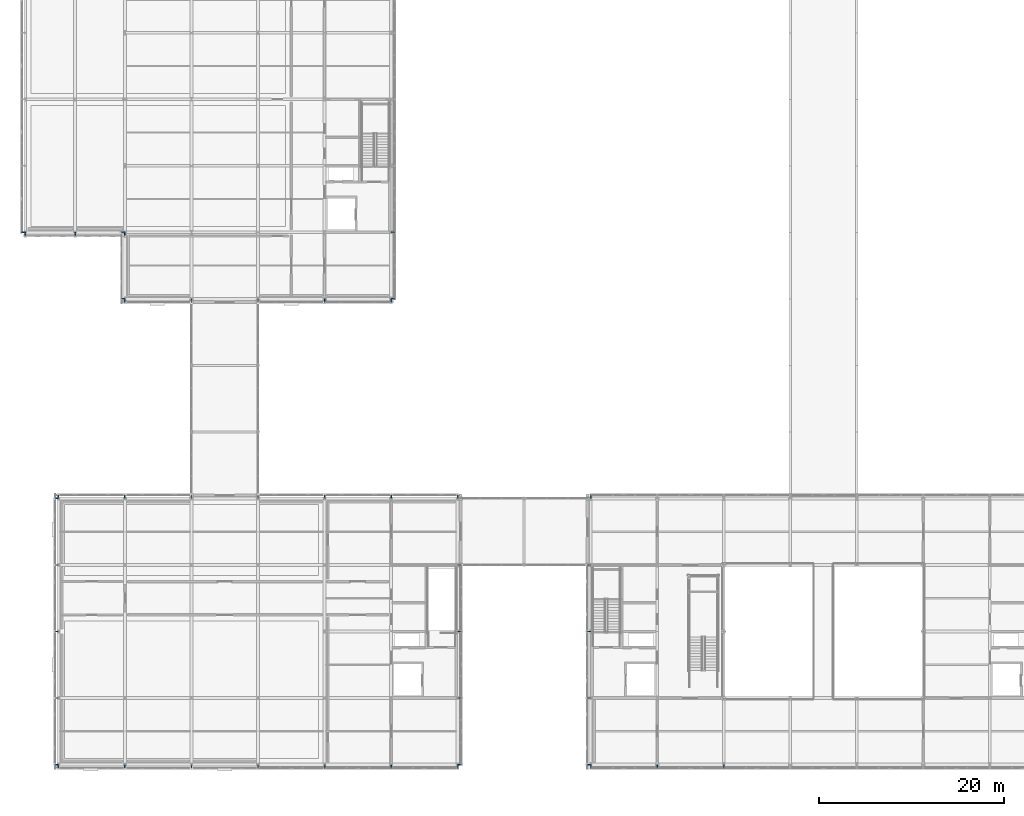
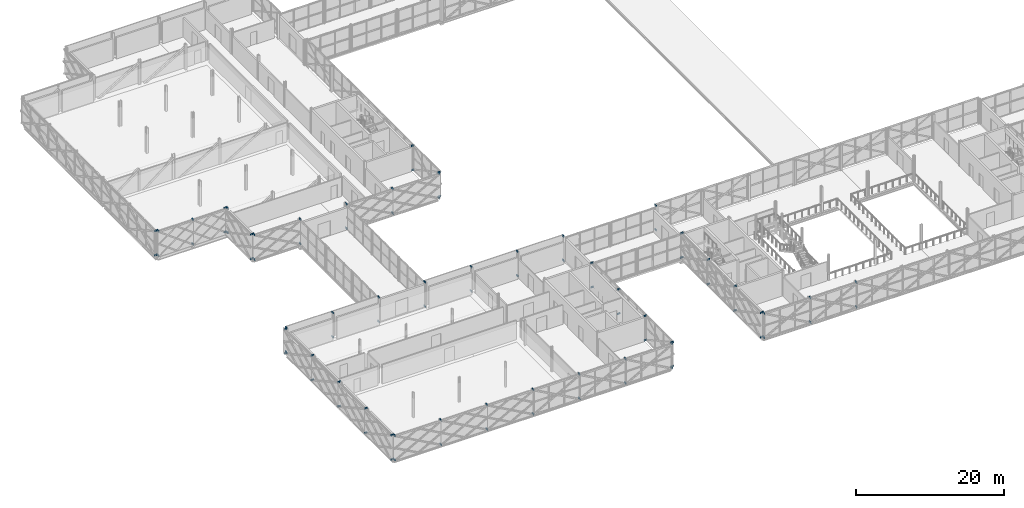
# One storey, part 69 of 126: 88 beams.
"""IFC4 building model written with IfcOpenShell, lengths in metres."""

from ifc_helpers import new_model, si_unit, direction, frame, origin, origin_2d, place, context, subcontext, project, spatial, i_section, extrude, material, material_profile, profile_set, type_object, element, save


model = new_model("IFC4")

# Units and contexts
model_context = context("Model", 3, precision=1e-05, world=origin(), true_north=direction((0.0, 1.0)))
body_context = subcontext(model_context, "Body", "Model", "MODEL_VIEW")
ifc_project = project(units=[si_unit("LENGTHUNIT", "METRE"), si_unit("AREAUNIT", "SQUARE_METRE"), si_unit("VOLUMEUNIT", "CUBIC_METRE"), si_unit("PLANEANGLEUNIT", "RADIAN"), si_unit("MASSUNIT", "GRAM", prefix="KILO")], contexts=[model_context])

# Site, building, storey
site_placement = place(None, origin())
site = spatial("IfcSite", under=ifc_project, at=site_placement, CompositionType="ELEMENT")
building_placement = place(site_placement, origin())
building = spatial("IfcBuilding", under=site, at=building_placement, Name="Zlatovets Crest Museum", CompositionType="ELEMENT")
storey_placement = place(building_placement, frame((0.0, 0.0, 8.699951171875)))
storey = spatial("IfcBuildingStorey", under=building, at=storey_placement, Name="L02", CompositionType="ELEMENT", Elevation=8.699951171875)

# Beams
ifc_material = material(Name="Structural steel S355J2", Category="steel")
ifc_material_profile = material_profile(ifc_material, i_section(OverallWidth=0.10009765625, OverallDepth=0.199951171875, WebThickness=0.005615234375, FlangeThickness=0.008544921875, FilletRadius=0.011962890625, at=origin_2d()), Name="IPE 200")
ifc_profile_set = profile_set([ifc_material_profile], Name="Structural steel S355J2")
beam_type = type_object("IfcBeamType", Name="Beam_PR-02", PredefinedType="LINTEL", material=ifc_profile_set)
for number, where, z_axis, x_axis, name in (
    (1, (57.60009765625, 0.0, 0.10009765625), (0.0, -1.0, 0.0), (1.0, 0.0, 0.0), "Lattice Structural Outrigger Tie"),
    (2, (57.60009765625, 0.0, 4.10009765625), (0.0, -1.0, 0.0), (1.0, 0.0, 0.0), "Lattice Structural Outrigger Tie"),
    (3, (64.800048828125, 0.0, 0.10009765625), (0.0, -1.0, 0.0), (1.0, 0.0, 0.0), "Lattice Structural Outrigger Tie"),
    (4, (64.800048828125, 0.0, 4.10009765625), (0.0, -1.0, 0.0), (1.0, 0.0, 0.0), "Lattice Structural Outrigger Tie"),
    (5, (72.0, 0.0, 0.10009765625), (0.0, -1.0, 0.0), (1.0, 0.0, 0.0), "Lattice Structural Outrigger Tie"),
    (6, (72.0, 0.0, 4.10009765625), (0.0, -1.0, 0.0), (1.0, 0.0, 0.0), "Lattice Structural Outrigger Tie"),
    (7, (57.60009765625, 28.800048828125, 0.10009765625), (0.0, 1.0, 0.0), (-1.0, 0.0, 0.0), "Lattice Structural Outrigger Tie"),
    (8, (57.60009765625, 28.800048828125, 4.10009765625), (0.0, 1.0, 0.0), (-1.0, 0.0, 0.0), "Lattice Structural Outrigger Tie"),
):
    element("IfcBeam", number, at=place(storey_placement, frame(where, z_axis=z_axis, x_axis=x_axis)), inside=storey, type_object=beam_type, Name=name, PredefinedType="LINTEL", context=body_context, shape_type="SweptSolid", body=[
        extrude(i_section(OverallWidth=0.10009765625, OverallDepth=0.199951171875, WebThickness=0.005615234375, FlangeThickness=0.008544921875, FilletRadius=0.011962890625, at=origin_2d()), origin(), (0.0, 0.0, 1.0), 0.419921875),
    ])
for number, where, z_axis, x_axis, name in (
    (9, (57.60009765625, 21.60009765625, 0.10009765625), (-1.0, 0.0, 0.0), (0.0, -1.0, 0.0), "Lattice Structural Outrigger Tie"),
    (10, (57.60009765625, 21.60009765625, 4.10009765625), (-1.0, 0.0, 0.0), (0.0, -1.0, 0.0), "Lattice Structural Outrigger Tie"),
    (11, (57.60009765625, 14.39990234375, 0.10009765625), (-1.0, 0.0, 0.0), (0.0, -1.0, 0.0), "Lattice Structural Outrigger Tie"),
    (12, (57.60009765625, 14.39990234375, 4.10009765625), (-1.0, 0.0, 0.0), (0.0, -1.0, 0.0), "Lattice Structural Outrigger Tie"),
    (13, (57.60009765625, 7.199951171875, 0.10009765625), (-1.0, 0.0, 0.0), (0.0, -1.0, 0.0), "Lattice Structural Outrigger Tie"),
    (14, (57.60009765625, 7.199951171875, 4.10009765625), (-1.0, 0.0, 0.0), (0.0, -1.0, 0.0), "Lattice Structural Outrigger Tie"),
    (15, (57.60009765625, 0.0, 0.10009765625), (-1.0, 0.0, 0.0), (0.0, -1.0, 0.0), "Lattice Structural Outrigger Tie"),
    (16, (57.60009765625, 0.0, 4.10009765625), (-1.0, 0.0, 0.0), (0.0, -1.0, 0.0), "Lattice Structural Outrigger Tie"),
):
    element("IfcBeam", number, at=place(storey_placement, frame(where, z_axis=z_axis, x_axis=x_axis)), inside=storey, type_object=beam_type, Name=name, PredefinedType="LINTEL", context=body_context, shape_type="SweptSolid", body=[
        extrude(i_section(OverallWidth=0.10009765625, OverallDepth=0.199951171875, WebThickness=0.005615234375, FlangeThickness=0.008544921875, FilletRadius=0.011962890625, at=origin_2d()), origin(), (0.0, 0.0, 1.0), 0.420166015625),
    ])
for number, where, z_axis, x_axis, name in (
    (17, (0.0, 0.0, 0.10009765625), (0.0, -1.0, 0.0), (1.0, 0.0, 0.0), "Lattice Structural Outrigger Tie"),
    (18, (0.0, 0.0, 4.10009765625), (0.0, -1.0, 0.0), (1.0, 0.0, 0.0), "Lattice Structural Outrigger Tie"),
    (19, (7.199951171875, 0.0, 0.10009765625), (0.0, -1.0, 0.0), (1.0, 0.0, 0.0), "Lattice Structural Outrigger Tie"),
    (20, (7.199951171875, 0.0, 4.10009765625), (0.0, -1.0, 0.0), (1.0, 0.0, 0.0), "Lattice Structural Outrigger Tie"),
    (21, (14.39990234375, 0.0, 0.10009765625), (0.0, -1.0, 0.0), (1.0, 0.0, 0.0), "Lattice Structural Outrigger Tie"),
    (22, (14.39990234375, 0.0, 4.10009765625), (0.0, -1.0, 0.0), (1.0, 0.0, 0.0), "Lattice Structural Outrigger Tie"),
    (23, (21.60009765625, 0.0, 0.10009765625), (0.0, -1.0, 0.0), (1.0, 0.0, 0.0), "Lattice Structural Outrigger Tie"),
    (24, (21.60009765625, 0.0, 4.10009765625), (0.0, -1.0, 0.0), (1.0, 0.0, 0.0), "Lattice Structural Outrigger Tie"),
    (25, (28.800048828125, 0.0, 0.10009765625), (0.0, -1.0, 0.0), (1.0, 0.0, 0.0), "Lattice Structural Outrigger Tie"),
    (26, (28.800048828125, 0.0, 4.10009765625), (0.0, -1.0, 0.0), (1.0, 0.0, 0.0), "Lattice Structural Outrigger Tie"),
    (27, (36.0, 0.0, 0.10009765625), (0.0, -1.0, 0.0), (1.0, 0.0, 0.0), "Lattice Structural Outrigger Tie"),
    (28, (36.0, 0.0, 4.10009765625), (0.0, -1.0, 0.0), (1.0, 0.0, 0.0), "Lattice Structural Outrigger Tie"),
    (29, (43.199951171875, 0.0, 0.10009765625), (0.0, -1.0, 0.0), (1.0, 0.0, 0.0), "Lattice Structural Outrigger Tie"),
    (30, (43.199951171875, 0.0, 4.10009765625), (0.0, -1.0, 0.0), (1.0, 0.0, 0.0), "Lattice Structural Outrigger Tie"),
):
    element("IfcBeam", number, at=place(storey_placement, frame(where, z_axis=z_axis, x_axis=x_axis)), inside=storey, type_object=beam_type, Name=name, PredefinedType="LINTEL", context=body_context, shape_type="SweptSolid", body=[
        extrude(i_section(OverallWidth=0.10009765625, OverallDepth=0.199951171875, WebThickness=0.005615234375, FlangeThickness=0.008544921875, FilletRadius=0.011962890625, at=origin_2d()), origin(), (0.0, 0.0, 1.0), 0.419921875),
    ])
for number, where, z_axis, x_axis, name in (
    (31, (43.199951171875, 0.0, 0.10009765625), (1.0, 0.0, 0.0), (0.0, 1.0, 0.0), "Lattice Structural Outrigger Tie"),
    (32, (43.199951171875, 0.0, 4.10009765625), (1.0, 0.0, 0.0), (0.0, 1.0, 0.0), "Lattice Structural Outrigger Tie"),
    (33, (43.199951171875, 7.199951171875, 0.10009765625), (1.0, 0.0, 0.0), (0.0, 1.0, 0.0), "Lattice Structural Outrigger Tie"),
    (34, (43.199951171875, 7.199951171875, 4.10009765625), (1.0, 0.0, 0.0), (0.0, 1.0, 0.0), "Lattice Structural Outrigger Tie"),
    (35, (43.199951171875, 14.39990234375, 0.10009765625), (1.0, 0.0, 0.0), (0.0, 1.0, 0.0), "Lattice Structural Outrigger Tie"),
    (36, (43.199951171875, 14.39990234375, 4.10009765625), (1.0, 0.0, 0.0), (0.0, 1.0, 0.0), "Lattice Structural Outrigger Tie"),
    (37, (43.199951171875, 21.60009765625, 0.10009765625), (1.0, 0.0, 0.0), (0.0, 1.0, 0.0), "Lattice Structural Outrigger Tie"),
    (38, (43.199951171875, 21.60009765625, 4.10009765625), (1.0, 0.0, 0.0), (0.0, 1.0, 0.0), "Lattice Structural Outrigger Tie"),
):
    element("IfcBeam", number, at=place(storey_placement, frame(where, z_axis=z_axis, x_axis=x_axis)), inside=storey, type_object=beam_type, Name=name, PredefinedType="LINTEL", context=body_context, shape_type="SweptSolid", body=[
        extrude(i_section(OverallWidth=0.10009765625, OverallDepth=0.199951171875, WebThickness=0.005615234375, FlangeThickness=0.008544921875, FilletRadius=0.011962890625, at=origin_2d()), origin(), (0.0, 0.0, 1.0), 0.420166015625),
    ])
for number, where, z_axis, x_axis, name in (
    (39, (43.199951171875, 28.800048828125, 0.10009765625), (0.0, 1.0, 0.0), (-1.0, 0.0, 0.0), "Lattice Structural Outrigger Tie"),
    (40, (43.199951171875, 28.800048828125, 4.10009765625), (0.0, 1.0, 0.0), (-1.0, 0.0, 0.0), "Lattice Structural Outrigger Tie"),
    (41, (36.0, 28.800048828125, 0.10009765625), (0.0, 1.0, 0.0), (-1.0, 0.0, 0.0), "Lattice Structural Outrigger Tie"),
    (42, (36.0, 28.800048828125, 4.10009765625), (0.0, 1.0, 0.0), (-1.0, 0.0, 0.0), "Lattice Structural Outrigger Tie"),
    (43, (28.800048828125, 28.800048828125, 0.10009765625), (0.0, 1.0, 0.0), (-1.0, 0.0, 0.0), "Lattice Structural Outrigger Tie"),
    (44, (28.800048828125, 28.800048828125, 4.10009765625), (0.0, 1.0, 0.0), (-1.0, 0.0, 0.0), "Lattice Structural Outrigger Tie"),
    (45, (21.60009765625, 28.800048828125, 0.10009765625), (0.0, 1.0, 0.0), (-1.0, 0.0, 0.0), "Lattice Structural Outrigger Tie"),
    (46, (21.60009765625, 28.800048828125, 4.10009765625), (0.0, 1.0, 0.0), (-1.0, 0.0, 0.0), "Lattice Structural Outrigger Tie"),
    (47, (14.39990234375, 28.800048828125, 0.10009765625), (0.0, 1.0, 0.0), (-1.0, 0.0, 0.0), "Lattice Structural Outrigger Tie"),
    (48, (14.39990234375, 28.800048828125, 4.10009765625), (0.0, 1.0, 0.0), (-1.0, 0.0, 0.0), "Lattice Structural Outrigger Tie"),
    (49, (7.199951171875, 28.800048828125, 0.10009765625), (0.0, 1.0, 0.0), (-1.0, 0.0, 0.0), "Lattice Structural Outrigger Tie"),
    (50, (7.199951171875, 28.800048828125, 4.10009765625), (0.0, 1.0, 0.0), (-1.0, 0.0, 0.0), "Lattice Structural Outrigger Tie"),
    (51, (0.0, 28.800048828125, 0.10009765625), (0.0, 1.0, 0.0), (-1.0, 0.0, 0.0), "Lattice Structural Outrigger Tie"),
    (52, (0.0, 28.800048828125, 4.10009765625), (0.0, 1.0, 0.0), (-1.0, 0.0, 0.0), "Lattice Structural Outrigger Tie"),
    (53, (0.0, 28.800048828125, 0.10009765625), (-1.0, 0.0, 0.0), (0.0, -1.0, 0.0), "Lattice Structural Outrigger Tie"),
    (54, (0.0, 28.800048828125, 4.10009765625), (-1.0, 0.0, 0.0), (0.0, -1.0, 0.0), "Lattice Structural Outrigger Tie"),
    (55, (0.0, 21.60009765625, 0.10009765625), (-1.0, 0.0, 0.0), (0.0, -1.0, 0.0), "Lattice Structural Outrigger Tie"),
    (56, (0.0, 21.60009765625, 4.10009765625), (-1.0, 0.0, 0.0), (0.0, -1.0, 0.0), "Lattice Structural Outrigger Tie"),
    (57, (0.0, 14.39990234375, 0.10009765625), (-1.0, 0.0, 0.0), (0.0, -1.0, 0.0), "Lattice Structural Outrigger Tie"),
    (58, (0.0, 14.39990234375, 4.10009765625), (-1.0, 0.0, 0.0), (0.0, -1.0, 0.0), "Lattice Structural Outrigger Tie"),
    (59, (0.0, 7.199951171875, 0.10009765625), (-1.0, 0.0, 0.0), (0.0, -1.0, 0.0), "Lattice Structural Outrigger Tie"),
    (60, (0.0, 7.199951171875, 4.10009765625), (-1.0, 0.0, 0.0), (0.0, -1.0, 0.0), "Lattice Structural Outrigger Tie"),
    (61, (0.0, 0.0, 0.10009765625), (-1.0, 0.0, 0.0), (0.0, -1.0, 0.0), "Lattice Structural Outrigger Tie"),
    (62, (0.0, 0.0, 4.10009765625), (-1.0, 0.0, 0.0), (0.0, -1.0, 0.0), "Lattice Structural Outrigger Tie"),
    (63, (7.199951171875, 50.39990234375, 0.10009765625), (0.0, -1.0, 0.0), (1.0, 0.0, 0.0), "Lattice Structural Outrigger Tie"),
    (64, (7.199951171875, 50.39990234375, 4.10009765625), (0.0, -1.0, 0.0), (1.0, 0.0, 0.0), "Lattice Structural Outrigger Tie"),
    (65, (14.39990234375, 50.39990234375, 0.10009765625), (0.0, -1.0, 0.0), (1.0, 0.0, 0.0), "Lattice Structural Outrigger Tie"),
    (66, (14.39990234375, 50.39990234375, 4.10009765625), (0.0, -1.0, 0.0), (1.0, 0.0, 0.0), "Lattice Structural Outrigger Tie"),
    (67, (21.60009765625, 50.39990234375, 0.10009765625), (0.0, -1.0, 0.0), (1.0, 0.0, 0.0), "Lattice Structural Outrigger Tie"),
    (68, (21.60009765625, 50.39990234375, 4.10009765625), (0.0, -1.0, 0.0), (1.0, 0.0, 0.0), "Lattice Structural Outrigger Tie"),
    (69, (28.800048828125, 50.39990234375, 0.10009765625), (0.0, -1.0, 0.0), (1.0, 0.0, 0.0), "Lattice Structural Outrigger Tie"),
    (70, (28.800048828125, 50.39990234375, 4.10009765625), (0.0, -1.0, 0.0), (1.0, 0.0, 0.0), "Lattice Structural Outrigger Tie"),
    (71, (36.0, 50.39990234375, 0.10009765625), (0.0, -1.0, 0.0), (1.0, 0.0, 0.0), "Lattice Structural Outrigger Tie"),
    (72, (36.0, 50.39990234375, 4.10009765625), (0.0, -1.0, 0.0), (1.0, 0.0, 0.0), "Lattice Structural Outrigger Tie"),
    (73, (36.0, 50.39990234375, 0.10009765625), (1.0, 0.0, 0.0), (0.0, 1.0, 0.0), "Lattice Structural Outrigger Tie"),
    (74, (36.0, 50.39990234375, 4.10009765625), (1.0, 0.0, 0.0), (0.0, 1.0, 0.0), "Lattice Structural Outrigger Tie"),
    (75, (36.0, 57.60009765625, 0.10009765625), (1.0, 0.0, 0.0), (0.0, 1.0, 0.0), "Lattice Structural Outrigger Tie"),
    (76, (36.0, 57.60009765625, 4.10009765625), (1.0, 0.0, 0.0), (0.0, 1.0, 0.0), "Lattice Structural Outrigger Tie"),
    (77, (-3.60009765625, 57.60009765625, 0.10009765625), (-1.0, 0.0, 0.0), (0.0, -1.0, 0.0), "Lattice Structural Outrigger Tie"),
    (78, (-3.60009765625, 57.60009765625, 4.10009765625), (-1.0, 0.0, 0.0), (0.0, -1.0, 0.0), "Lattice Structural Outrigger Tie"),
):
    element("IfcBeam", number, at=place(storey_placement, frame(where, z_axis=z_axis, x_axis=x_axis)), inside=storey, type_object=beam_type, Name=name, PredefinedType="LINTEL", context=body_context, shape_type="SweptSolid", body=[
        extrude(i_section(OverallWidth=0.10009765625, OverallDepth=0.199951171875, WebThickness=0.005615234375, FlangeThickness=0.008544921875, FilletRadius=0.011962890625, at=origin_2d()), origin(), (0.0, 0.0, 1.0), 0.419921875),
    ])
for number, where, z_axis, x_axis, name in (
    (79, (-3.60009765625, 57.60009765625, 0.10009765625), (0.0, -1.0, 0.0), (1.0, 0.0, 0.0), "Lattice Structural Outrigger Tie"),
    (80, (-3.60009765625, 57.60009765625, 4.10009765625), (0.0, -1.0, 0.0), (1.0, 0.0, 0.0), "Lattice Structural Outrigger Tie"),
    (81, (1.800048828125, 57.60009765625, 0.10009765625), (0.0, -1.0, 0.0), (1.0, 0.0, 0.0), "Lattice Structural Outrigger Tie"),
    (82, (1.800048828125, 57.60009765625, 4.10009765625), (0.0, -1.0, 0.0), (1.0, 0.0, 0.0), "Lattice Structural Outrigger Tie"),
    (83, (7.199951171875, 57.60009765625, 0.10009765625), (0.0, -1.0, 0.0), (1.0, 0.0, 0.0), "Lattice Structural Outrigger Tie"),
    (84, (7.199951171875, 57.60009765625, 4.10009765625), (0.0, -1.0, 0.0), (1.0, 0.0, 0.0), "Lattice Structural Outrigger Tie"),
):
    element("IfcBeam", number, at=place(storey_placement, frame(where, z_axis=z_axis, x_axis=x_axis)), inside=storey, type_object=beam_type, Name=name, PredefinedType="LINTEL", context=body_context, shape_type="SweptSolid", body=[
        extrude(i_section(OverallWidth=0.10009765625, OverallDepth=0.199951171875, WebThickness=0.005615234375, FlangeThickness=0.008544921875, FilletRadius=0.011962890625, at=origin_2d()), origin(), (0.0, 0.0, 1.0), 0.420166015625),
    ])
for number, where, z_axis, x_axis, name in (
    (85, (7.199951171875, 57.60009765625, 0.10009765625), (-1.0, 0.0, 0.0), (0.0, -1.0, 0.0), "Lattice Structural Outrigger Tie"),
    (86, (7.199951171875, 57.60009765625, 4.10009765625), (-1.0, 0.0, 0.0), (0.0, -1.0, 0.0), "Lattice Structural Outrigger Tie"),
    (87, (7.199951171875, 50.39990234375, 0.10009765625), (-1.0, 0.0, 0.0), (0.0, -1.0, 0.0), "Lattice Structural Outrigger Tie"),
    (88, (7.199951171875, 50.39990234375, 4.10009765625), (-1.0, 0.0, 0.0), (0.0, -1.0, 0.0), "Lattice Structural Outrigger Tie"),
):
    element("IfcBeam", number, at=place(storey_placement, frame(where, z_axis=z_axis, x_axis=x_axis)), inside=storey, type_object=beam_type, Name=name, PredefinedType="LINTEL", context=body_context, shape_type="SweptSolid", body=[
        extrude(i_section(OverallWidth=0.10009765625, OverallDepth=0.199951171875, WebThickness=0.005615234375, FlangeThickness=0.008544921875, FilletRadius=0.011962890625, at=origin_2d()), origin(), (0.0, 0.0, 1.0), 0.419921875),
    ])

save(model, "model.ifc")
